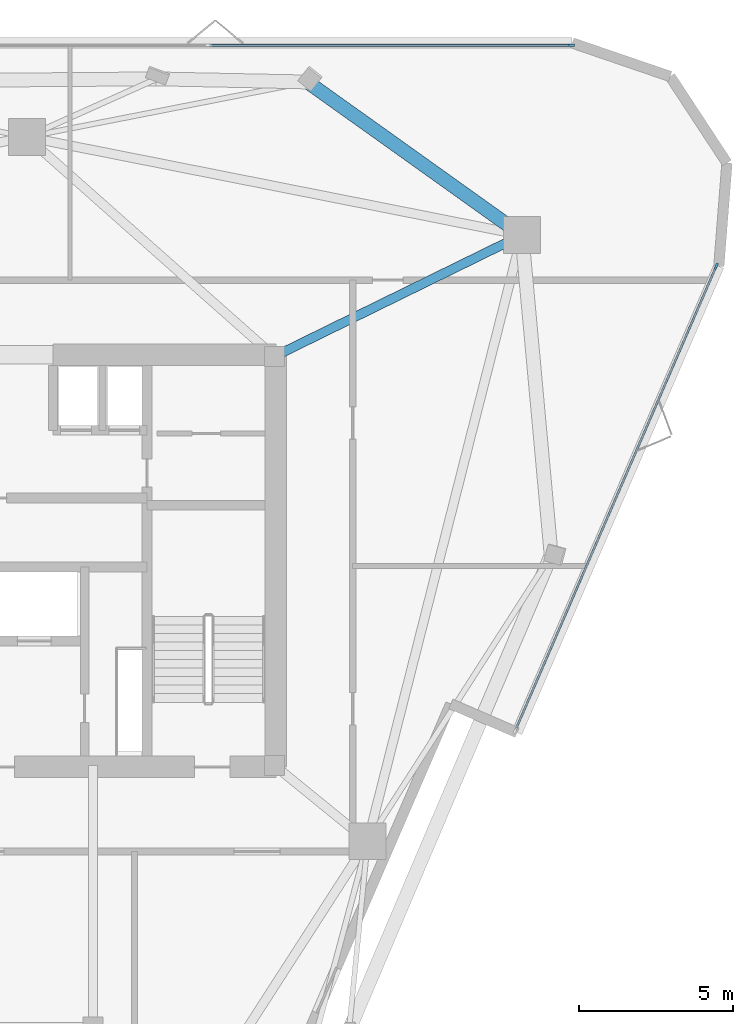
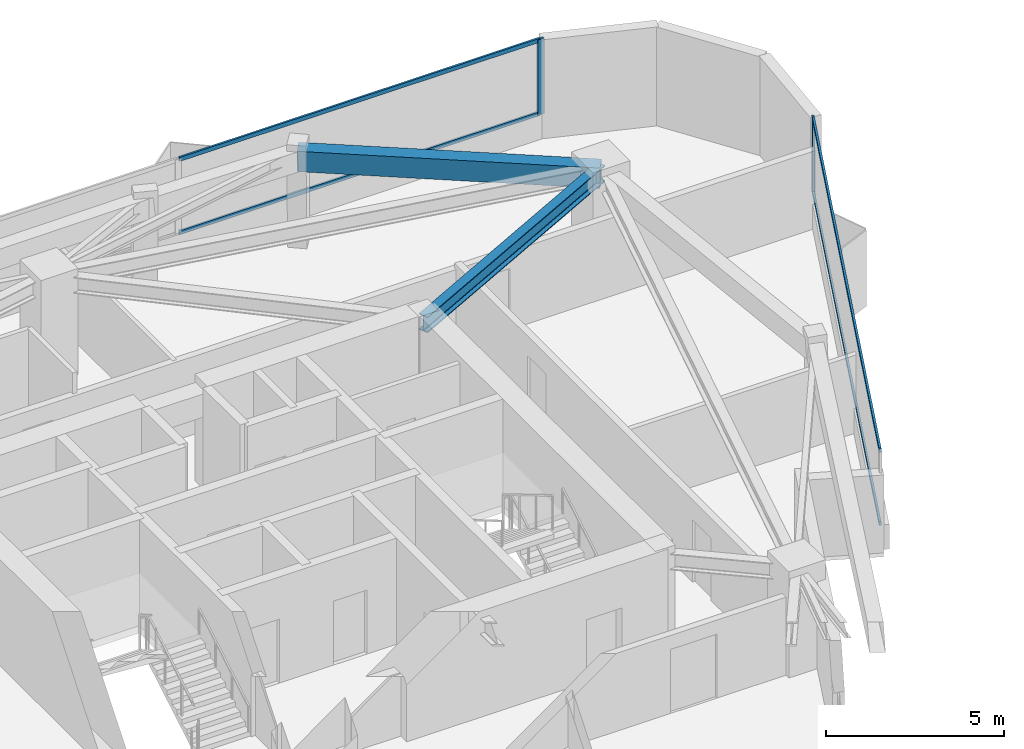
# One storey, part 6 of 10: 6 members, 2 beams, 2 elements without a shape of their own.
"""IFC4 building model written with IfcOpenShell, lengths in metres."""

from ifc_helpers import new_model, si_unit, direction, frame, origin, origin_2d, place, context, subcontext, project, spatial, rectangle, i_section, extrude, material, layer, layer_set, material_profile, profile_set, type_object, element, aggregate, save


model = new_model("IFC4")

# Units and contexts
model_context = context("Model", 3, precision=1e-05, world=origin(), true_north=direction((0.0, 1.0)))
body_context = subcontext(model_context, "Body", "Model", "MODEL_VIEW")
ifc_project = project(units=[si_unit("LENGTHUNIT", "METRE"), si_unit("AREAUNIT", "SQUARE_METRE"), si_unit("VOLUMEUNIT", "CUBIC_METRE"), si_unit("PLANEANGLEUNIT", "RADIAN"), si_unit("MASSUNIT", "GRAM", prefix="KILO")], contexts=[model_context])

# Site, building, storey
site_placement = place(None, origin())
site = spatial("IfcSite", under=ifc_project, at=site_placement, CompositionType="ELEMENT")
building_placement = place(site_placement, origin())
building = spatial("IfcBuilding", under=site, at=building_placement, Name="Talyreon Biosciences Tower", CompositionType="ELEMENT")
storey_placement = place(building_placement, frame((0.0, 0.0, 260.800048828125)))
storey = spatial("IfcBuildingStorey", under=building, at=storey_placement, Name="L69", CompositionType="ELEMENT", Elevation=260.800048828125)

# Curtain wall, member
ifc_material_1 = material(Name="Thermally broken aluminium and low-E glazing", Category="aluminium")
ifc_layer = layer(ifc_material_1, 0.205078125)
ifc_layer_set = layer_set([ifc_layer], Name="Thermally broken aluminium and low-E glazing")
curtain_wall_type = type_object("IfcCurtainWallType", Name="CurtainWall_SkyGardenLoggia", PredefinedType="NOTDEFINED", material=ifc_layer_set)
curtain_wall_1_placement = place(storey_placement, origin())
curtain_wall_1 = element("IfcCurtainWall", 1, at=curtain_wall_1_placement, inside=storey, type_object=curtain_wall_type, Name="L69 Unitised Curtain Wall FCW-L69-03", PredefinedType="NOTDEFINED")
ifc_material_2 = material(Name="Anodised thermally broken aluminium", Category="aluminium")
ifc_material_profile_1 = material_profile(ifc_material_2, rectangle(XDim=0.074951171875, YDim=0.2099609375, at=origin_2d()), Name="ALUM MULLION 75x210")
ifc_profile_set_1 = profile_set([ifc_material_profile_1], Name="Anodised thermally broken aluminium")
member_type_1 = type_object("IfcMemberType", Name="CWMullion_75x210", PredefinedType="MULLION", material=ifc_profile_set_1)
member_1_placement = place(storey_placement, frame((83.700927734375, 84.77099609375, 0.81005859375), z_axis=(0.0, 0.0, 1.0), x_axis=(0.0, 1.0, 0.0)))
member_1 = element("IfcMember", 2, at=member_1_placement, type_object=member_type_1, Name="CW7 mullion 4", PredefinedType="MULLION", context=body_context, shape_type="SweptSolid", body=[
    extrude(rectangle(XDim=0.074951171875, YDim=0.2099609375, at=origin_2d()), origin(), (0.0, 0.0, 1.0), 2.58984375),
])

curtain_wall_2_placement = place(storey_placement, origin())
curtain_wall_2 = element("IfcCurtainWall", 3, at=curtain_wall_2_placement, inside=storey, type_object=curtain_wall_type, Name="L69 Unitised Curtain Wall FCW-L69-07", PredefinedType="NOTDEFINED")
member_2_placement = place(storey_placement, frame((88.42236328125, 77.582763671875, 0.81005859375), z_axis=(0.0, 0.0, 1.0), x_axis=(0.917723960256, -0.397218746753, 0.0)))
member_2 = element("IfcMember", 4, at=member_2_placement, type_object=member_type_1, Name="CW7 mullion 1", PredefinedType="MULLION", context=body_context, shape_type="SweptSolid", body=[
    extrude(rectangle(XDim=0.074951171875, YDim=0.2099609375, at=origin_2d()), origin(), (0.0, 0.0, 1.0), 2.58984375),
])

# Member
ifc_material_profile_2 = material_profile(ifc_material_2, rectangle(XDim=0.06494140625, YDim=0.139892578125, at=origin_2d()), Name="ALUM TRANSOM 65x140")
ifc_profile_set_2 = profile_set([ifc_material_profile_2], Name="Anodised thermally broken aluminium")
member_type_2 = type_object("IfcMemberType", Name="CWTransom_65x140", PredefinedType="USERDEFINED", material=ifc_profile_set_2)
member_3_placement = place(storey_placement, frame((71.950439453125, 84.77099609375, 0.842529296875), z_axis=(1.0, 0.0, 0.0), x_axis=(0.0, 1.0, 0.0)))
member_3 = element("IfcMember", 5, at=member_3_placement, type_object=member_type_2, Name="CW7 transom 3.1", ObjectType="TRANSOM", PredefinedType="USERDEFINED", context=body_context, shape_type="SweptSolid", body=[
    extrude(rectangle(XDim=0.06494140625, YDim=0.139892578125, at=origin_2d()), origin(), (0.0, 0.0, 1.0), 11.713134765625),
])

member_4_placement = place(storey_placement, frame((71.950439453125, 84.77099609375, 3.367431640625), z_axis=(1.0, 0.0, 0.0), x_axis=(0.0, 1.0, 0.0)))
member_4 = element("IfcMember", 6, at=member_4_placement, type_object=member_type_2, Name="CW7 transom 3.2", ObjectType="TRANSOM", PredefinedType="USERDEFINED", context=body_context, shape_type="SweptSolid", body=[
    extrude(rectangle(XDim=0.06494140625, YDim=0.139892578125, at=origin_2d()), origin(), (0.0, 0.0, 1.0), 11.713134765625),
])

aggregate(curtain_wall_1, [member_1, member_3, member_4])

member_5_placement = place(storey_placement, frame((88.407470703125, 77.54833984375, 0.842529296875), z_axis=(-0.397228814561, -0.917719602538, 0.0), x_axis=(0.917719602538, -0.397228814561, 0.0)))
member_5 = element("IfcMember", 7, at=member_5_placement, type_object=member_type_2, Name="CW7 transom 1.1", ObjectType="TRANSOM", PredefinedType="USERDEFINED", context=body_context, shape_type="SweptSolid", body=[
    extrude(rectangle(XDim=0.06494140625, YDim=0.139892578125, at=origin_2d()), origin(), (0.0, 0.0, 1.0), 16.378173828125),
])

member_6_placement = place(storey_placement, frame((88.407470703125, 77.54833984375, 3.367431640625), z_axis=(-0.397228814561, -0.917719602538, 0.0), x_axis=(0.917719602538, -0.397228814561, 0.0)))
member_6 = element("IfcMember", 8, at=member_6_placement, type_object=member_type_2, Name="CW7 transom 1.2", ObjectType="TRANSOM", PredefinedType="USERDEFINED", context=body_context, shape_type="SweptSolid", body=[
    extrude(rectangle(XDim=0.06494140625, YDim=0.139892578125, at=origin_2d()), origin(), (0.0, 0.0, 1.0), 16.378173828125),
])

aggregate(curtain_wall_2, [member_2, member_5, member_6])

# Beams
ifc_material_3 = material(Name="Precast concrete C45/55", Category="concrete")
ifc_material_profile_3 = material_profile(ifc_material_3, rectangle(XDim=0.449951171875, YDim=0.699951171875, at=origin_2d()), Name="RCB 450x700")
ifc_profile_set_3 = profile_set([ifc_material_profile_3], Name="Precast concrete C45/55")
beam_type_1 = type_object("IfcBeamType", Name="ExpressedSpandrel_450x700", PredefinedType="SPANDREL", material=ifc_profile_set_3)
beam_1_placement = place(storey_placement, frame((82.102294921875, 78.5986328125, 3.050048828125), z_axis=(-0.81390471941, 0.580998371532, 0.0), x_axis=(-0.580998371532, -0.81390471941, 0.0)))
element("IfcBeam", 9, at=beam_1_placement, inside=storey, type_object=beam_type_1, Name="L69 Expressed Horizontal Concrete Spandrel 05", PredefinedType="SPANDREL", context=body_context, shape_type="SweptSolid", body=[
    extrude(rectangle(XDim=0.449951171875, YDim=0.699951171875, at=origin_2d()), origin(), (0.0, 0.0, 1.0), 8.571533203125),
])
ifc_material_4 = material(Name="Steel SM355", Category="steel")
ifc_material_profile_4 = material_profile(ifc_material_4, i_section(OverallWidth=0.300048828125, OverallDepth=0.550048828125, WebThickness=0.014892578125, FlangeThickness=0.029052734375, FilletRadius=0.027099609375, at=origin_2d()), Name="HE550B")
ifc_profile_set_4 = profile_set([ifc_material_profile_4], Name="Steel SM355")
beam_type_2 = type_object("IfcBeamType", Name="SteelBeam_HE550B", PredefinedType="BEAM", material=ifc_profile_set_4)
beam_2_placement = place(storey_placement, frame((74.050048828125, 74.64990234375, 3.125), z_axis=(0.897852360314, 0.440296648952, 0.0), x_axis=(-0.440296648952, 0.897852360314, 0.0)))
element("IfcBeam", 10, at=beam_2_placement, inside=storey, type_object=beam_type_2, Name="L69 Radial Primary Girder 3", PredefinedType="BEAM", context=body_context, shape_type="SweptSolid", body=[
    extrude(i_section(OverallWidth=0.300048828125, OverallDepth=0.550048828125, WebThickness=0.014892578125, FlangeThickness=0.029052734375, FilletRadius=0.027099609375, at=origin_2d()), origin(), (0.0, 0.0, 1.0), 8.96826171875),
])

save(model, "model.ifc")
